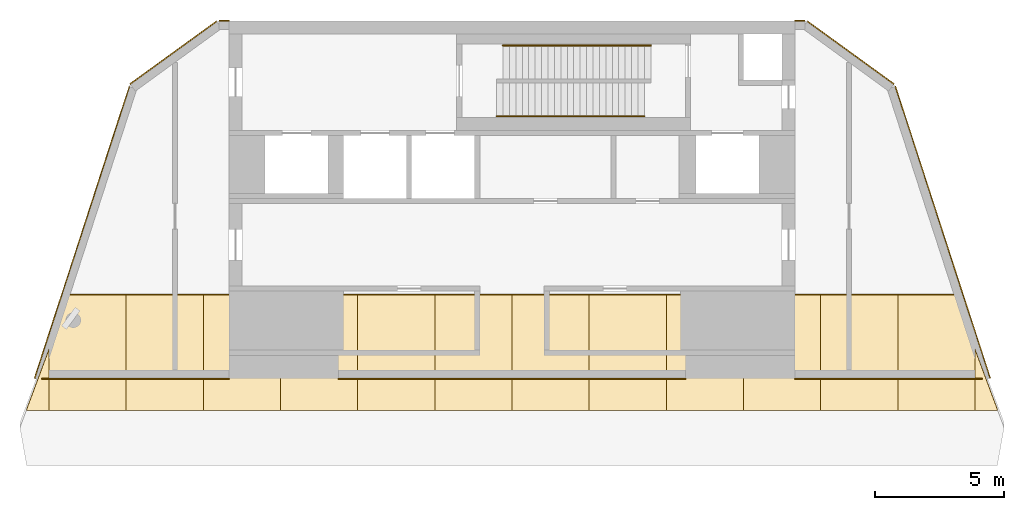
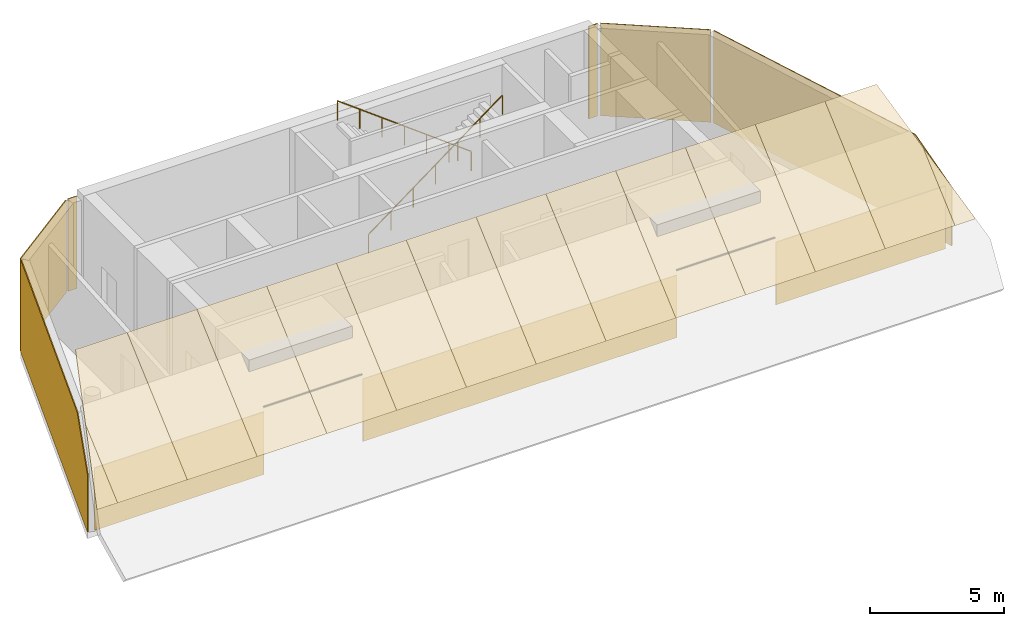
# One storey, part 3 of 3: 23 coverings, 2 railings.
"""IFC4 building model written with IfcOpenShell, lengths in metres."""

from ifc_helpers import new_model, si_unit, direction, frame, origin, origin_2d, place, context, subcontext, project, spatial, polyline, circle, outline, extrude, material, layer, layer_set, type_object, element, save


model = new_model("IFC4")

# Units and contexts
model_context = context("Model", 3, precision=1e-05, world=origin(), true_north=direction((0.0, 1.0)))
body_context = subcontext(model_context, "Body", "Model", "MODEL_VIEW")
ifc_project = project(units=[si_unit("LENGTHUNIT", "METRE"), si_unit("AREAUNIT", "SQUARE_METRE"), si_unit("VOLUMEUNIT", "CUBIC_METRE"), si_unit("PLANEANGLEUNIT", "RADIAN"), si_unit("MASSUNIT", "GRAM", prefix="KILO")], contexts=[model_context])

# Site, building, storey
site_placement = place(None, origin())
site = spatial("IfcSite", under=ifc_project, at=site_placement, CompositionType="ELEMENT")
building_placement = place(site_placement, origin())
building = spatial("IfcBuilding", under=site, at=building_placement, Name="White Candle Pilgrim Tower", CompositionType="ELEMENT")
storey_placement = place(building_placement, frame((0.0, 0.0, 346.699951171875)))
storey = spatial("IfcBuildingStorey", under=building, at=storey_placement, Name="L81", CompositionType="ELEMENT", Elevation=346.699951171875)

# Coverings
ifc_material_1 = material(Name="Zinc standing seam")
ifc_layer_1 = layer(ifc_material_1, 0.050048828125)
ifc_layer_set_1 = layer_set([ifc_layer_1], Name="Roof covering CL2 zinc standing seam 50")
covering_type_1 = type_object("IfcCoveringType", Name="Roof covering CL2 zinc standing seam 50", PredefinedType="ROOFING", material=ifc_layer_set_1)
covering_1_placement = place(storey_placement, frame((52.0, 72.852294921875, 1.8876953125), z_axis=(-0.000132173578, -0.662889988193, 0.748716799654), x_axis=(-0.999999991265, 8.7616542e-05, -9.8960579e-05)))
element("IfcCovering", 1, at=covering_1_placement, inside=storey, type_object=covering_type_1, Name="Roof covering 47", PredefinedType="ROOFING", context=body_context, shape_type="SweptSolid", body=[
    extrude(outline(polyline([(0.0, 0.0), (0.886718742254576, -1.2017279939170386e-20), (0.8684082159395308, -0.06573125336429324), (0.6826171834286233, -0.7336644731324333), (0.4968261750780134, -1.401435854523136), (0.311035142567106, -2.0693690742912763), (0.12548827483936364, -2.7371404556819794), (-1.5492099846026175e-08, -3.187849434880022), (0.0, 0.0)])), origin(), (0.0, 0.0, -1.0), 0.050048828125),
])
covering_2_placement = place(storey_placement, frame((55.0, 77.344482421875, 5.865234375), z_axis=(-6.210657e-06, -0.662916714625, 0.748693147713), x_axis=(-1e-11, -0.748693147727, -0.662916714638)))
element("IfcCovering", 2, at=covering_2_placement, inside=storey, type_object=covering_type_1, Name="Roof covering 48", PredefinedType="ROOFING", context=body_context, shape_type="SweptSolid", body=[
    extrude(outline(polyline([(0.0, 0.0), (6.0000471272122855, 0.0), (6.00004712724353, -2.999999999942142), (2.812197690210579, -2.999999999953988), (2.595135292429665, -2.9396972663743126), (1.9272020680872766, -2.7539062500381997), (1.2594306886459226, -2.5681152348373084), (0.5914974643035364, -2.3825683591261906), (2.3100788568705282e-11, -2.218017578082223), (0.0, 0.0)])), origin(), (0.0, 0.0, -1.0), 0.050048828125),
])
for number, where, z_axis, x_axis, name in (
    (3, (55.0, 72.852294921875, 1.8876953125), (0.0, -0.66291797017, 0.748692036038), (0.0, 0.748692036038, 0.66291797017), "Roof covering 49"),
    (4, (58.0, 72.852294921875, 1.8876953125), (0.0, -0.66291797017, 0.748692036038), (0.0, 0.748692036038, 0.66291797017), "Roof covering 50"),
    (5, (61.0, 72.852294921875, 1.8876953125), (0.0, -0.66291797017, 0.748692036038), (0.0, 0.748692036038, 0.66291797017), "Roof covering 51"),
    (6, (64.0, 72.852294921875, 1.8876953125), (0.0, -0.66291797017, 0.748692036038), (0.0, 0.748692036038, 0.66291797017), "Roof covering 52"),
    (7, (67.0, 72.852294921875, 1.8876953125), (0.0, -0.66291797017, 0.748692036038), (0.0, 0.748692036038, 0.66291797017), "Roof covering 53"),
    (8, (70.0, 72.852294921875, 1.8876953125), (0.0, -0.66291797017, 0.748692036038), (0.0, 0.748692036038, 0.66291797017), "Roof covering 54"),
    (9, (73.0, 72.852294921875, 1.8876953125), (0.0, -0.66291797017, 0.748692036038), (0.0, 0.748692036038, 0.66291797017), "Roof covering 55"),
    (10, (76.0, 72.852294921875, 1.8876953125), (0.0, -0.66291797017, 0.748692036038), (0.0, 0.748692036038, 0.66291797017), "Roof covering 56"),
    (11, (79.0, 72.852294921875, 1.8876953125), (0.0, -0.66291797017, 0.748692036038), (0.0, 0.748692036038, 0.66291797017), "Roof covering 57"),
    (12, (82.0, 72.852294921875, 1.8876953125), (0.0, -0.66291797017, 0.748692036038), (0.0, 0.748692036038, 0.66291797017), "Roof covering 58"),
):
    element("IfcCovering", number, at=place(storey_placement, frame(where, z_axis=z_axis, x_axis=x_axis)), inside=storey, type_object=covering_type_1, Name=name, PredefinedType="ROOFING", context=body_context, shape_type="SweptSolid", body=[
        extrude(outline(polyline([(0.0, 0.0), (6.000047127220721, 0.0), (6.000047127220721, -3.0), (0.0, -3.0), (0.0, 0.0)])), origin(), (0.0, 0.0, -1.0), 0.050048828125),
    ])
covering_3_placement = place(storey_placement, frame((88.0, 72.852294921875, 1.8876953125), z_axis=(6.210657e-06, -0.662916714625, 0.748693147713), x_axis=(-0.999999999981, -4.117148e-06, 4.649876e-06)))
element("IfcCovering", 13, at=covering_3_placement, inside=storey, type_object=covering_type_1, Name="Roof covering 59", PredefinedType="ROOFING", context=body_context, shape_type="SweptSolid", body=[
    extrude(outline(polyline([(0.0, 0.0), (2.9999999999421414, 0.0), (3.0000000000046323, -6.000047127212285), (0.7819824219224095, -6.000047127212285), (0.6174316408722816, -5.408549662933563), (0.4318847651542074, -4.7406164385931095), (0.24609374994636138, -4.072845059153691), (0.0603027336032917, -3.404911834813237), (2.1355851279614428e-11, -3.187849437032951), (0.0, 0.0)])), origin(), (0.0, 0.0, -1.0), 0.050048828125),
])
covering_4_placement = place(storey_placement, frame((88.0, 72.852294921875, 1.8876953125), z_axis=(0.000132173578, -0.662889988193, 0.748716799654), x_axis=(-4.86e-09, 0.748716806194, 0.662889993983)))
element("IfcCovering", 14, at=covering_4_placement, inside=storey, type_object=covering_type_1, Name="Roof covering 60", PredefinedType="ROOFING", context=body_context, shape_type="SweptSolid", body=[
    extrude(outline(polyline([(0.0, 0.0), (3.1878494348800226, 2.710505431213761e-20), (2.73714045507214, -0.1254882881411378), (2.0693690727797285, -0.311035152623689), (1.4014358521086934, -0.4968261818886187), (0.7336644698150956, -0.6826171869940374), (0.06573124914406044, -0.8684082162589671), (-4.309217097898702e-09, -0.886718742254576), (0.0, 0.0)])), origin(), (0.0, 0.0, -1.0), 0.050048828125),
])

# Railings
ifc_material_2 = material(Name="Stainless steel", Category="steel")
railing_type = type_object("IfcRailingType", Name="Stair handrail stainless steel", PredefinedType="HANDRAIL", material=ifc_material_2)
railing_1_placement = place(storey_placement, frame((69.39990234375, 84.300048828125, 0.1875)))
element("IfcRailing", 15, at=railing_1_placement, inside=storey, type_object=railing_type, Name="L81 ST12 stair handrail 1", PredefinedType="HANDRAIL", context=body_context, shape_type="SweptSolid", body=[
    extrude(circle(Radius=0.02392578125, at=origin_2d()), frame((0.0, 0.0, 0.8759765625), z_axis=(0.8, 0.0, 0.6), x_axis=(0.0, 1.0, 0.0)), (0.0, 0.0, 1.0), 7.1875),
    extrude(circle(Radius=0.02099609375, at=origin_2d()), origin(), (0.0, 0.0, 1.0), 0.851806640625),
    extrude(circle(Radius=0.02099609375, at=origin_2d()), frame((0.958251953125, 0.0, 0.71875)), (0.0, 0.0, 1.0), 0.851806640625),
    extrude(circle(Radius=0.02099609375, at=origin_2d()), frame((1.916748046875, 0.0, 1.4375)), (0.0, 0.0, 1.0), 0.851806640625),
    extrude(circle(Radius=0.02099609375, at=origin_2d()), frame((2.875, 0.0, 2.15625)), (0.0, 0.0, 1.0), 0.851806640625),
    extrude(circle(Radius=0.02099609375, at=origin_2d()), frame((3.833251953125, 0.0, 2.875)), (0.0, 0.0, 1.0), 0.851806640625),
    extrude(circle(Radius=0.02099609375, at=origin_2d()), frame((4.791748046875, 0.0, 3.59375)), (0.0, 0.0, 1.0), 0.851806640625),
    extrude(circle(Radius=0.02099609375, at=origin_2d()), frame((5.75, 0.0, 4.3125)), (0.0, 0.0, 1.0), 0.851806640625),
])
railing_2_placement = place(storey_placement, frame((75.39990234375, 87.050048828125, 0.1875)))
element("IfcRailing", 16, at=railing_2_placement, inside=storey, type_object=railing_type, Name="L81 ST12 stair handrail 1", PredefinedType="HANDRAIL", context=body_context, shape_type="SweptSolid", body=[
    extrude(circle(Radius=0.02392578125, at=origin_2d()), frame((0.0, 0.0, 0.8759765625), z_axis=(-0.8, 0.0, 0.6), x_axis=(0.0, -1.0, 0.0)), (0.0, 0.0, 1.0), 7.1875),
    extrude(circle(Radius=0.02099609375, at=origin_2d()), origin(), (0.0, 0.0, 1.0), 0.851806640625),
    extrude(circle(Radius=0.02099609375, at=origin_2d()), frame((-0.958251953125, 0.0, 0.71875)), (0.0, 0.0, 1.0), 0.851806640625),
    extrude(circle(Radius=0.02099609375, at=origin_2d()), frame((-1.916748046875, 0.0, 1.4375)), (0.0, 0.0, 1.0), 0.851806640625),
    extrude(circle(Radius=0.02099609375, at=origin_2d()), frame((-2.875, 0.0, 2.15625)), (0.0, 0.0, 1.0), 0.851806640625),
    extrude(circle(Radius=0.02099609375, at=origin_2d()), frame((-3.833251953125, 0.0, 2.875)), (0.0, 0.0, 1.0), 0.851806640625),
    extrude(circle(Radius=0.02099609375, at=origin_2d()), frame((-4.791748046875, 0.0, 3.59375)), (0.0, 0.0, 1.0), 0.851806640625),
    extrude(circle(Radius=0.02099609375, at=origin_2d()), frame((-5.75, 0.0, 4.3125)), (0.0, 0.0, 1.0), 0.851806640625),
])

# Coverings
ifc_layer_2 = layer(ifc_material_1, 0.0400390625)
ifc_layer_set_2 = layer_set([ifc_layer_2], Name="Zinc wall cladding CL3 40")
covering_type_2 = type_object("IfcCoveringType", Name="Zinc wall cladding CL3 40", PredefinedType="CLADDING", material=ifc_layer_set_2)
covering_5_placement = place(storey_placement, frame((88.57763671875, 74.108642578125, 2.65625), z_axis=(-0.951054644325, -0.309022755538, 8.275372e-06), x_axis=(-0.236367956951, 0.727468025327, 0.644143199183)))
element("IfcCovering", 17, at=covering_5_placement, inside=storey, type_object=covering_type_2, Name="Zinc wall cladding L81 ENE", PredefinedType="CLADDING", context=body_context, shape_type="SweptSolid", body=[
    extrude(outline(polyline([(0.0, 0.0), (2.396518622417046, 0.0), (10.117605311352957, 6.502096328436513), (7.412235327090453, 9.714659649707816), (-1.7110053728289272, 2.0317786976359797), (0.0, 0.0)])), origin(), (0.0, 0.0, -1.0), 0.0400390625),
])
covering_6_placement = place(storey_placement, frame((84.833740234375, 85.531982421875, 4.199951171875), z_axis=(-0.587807568074, -0.80900078054, 0.0), x_axis=(-0.80900078054, 0.587807568074, 0.0)))
element("IfcCovering", 18, at=covering_6_placement, inside=storey, type_object=covering_type_2, Name="Zinc wall cladding L81 NE chamfer", PredefinedType="CLADDING", context=body_context, shape_type="SweptSolid", body=[
    extrude(outline(polyline([(0.0, 0.0), (4.1467652551406395, 0.0), (4.1467652551406395, 4.199951171875), (0.0, 4.199951171875), (0.0, 0.0)])), origin(), (0.0, 0.0, -1.0), 0.0400390625),
])
for number, where, z_axis, x_axis, name in (
    (19, (81.385009765625, 88.0, 4.199951171875), (0.0, -1.0, 0.0), (-1.0, 0.0, 0.0), "Zinc wall cladding L81 N"),
    (20, (59.0, 88.0, 4.199951171875), (0.0, -1.0, 0.0), (-1.0, 0.0, 0.0), "Zinc wall cladding L81 N"),
):
    element("IfcCovering", number, at=place(storey_placement, frame(where, z_axis=z_axis, x_axis=x_axis)), inside=storey, type_object=covering_type_2, Name=name, PredefinedType="CLADDING", context=body_context, shape_type="SweptSolid", body=[
        extrude(outline(polyline([(0.0, 0.0), (0.385009765625, 0.0), (0.385009765625, 4.199951171875), (0.0, 4.199951171875), (0.0, 0.0)])), origin(), (0.0, 0.0, -1.0), 0.0400390625),
    ])
covering_7_placement = place(storey_placement, frame((58.52099609375, 87.969482421875, 4.199951171875), z_axis=(0.587807568074, -0.80900078054, 0.0), x_axis=(-0.80900078054, -0.587807568074, 0.0)))
element("IfcCovering", 21, at=covering_7_placement, inside=storey, type_object=covering_type_2, Name="Zinc wall cladding L81 NW chamfer", PredefinedType="CLADDING", context=body_context, shape_type="SweptSolid", body=[
    extrude(outline(polyline([(0.0, 0.0), (4.1467652551406395, 0.0), (4.1467652551406395, 4.199951171875), (0.0, 4.199951171875), (0.0, 0.0)])), origin(), (0.0, 0.0, -1.0), 0.0400390625),
])
covering_8_placement = place(storey_placement, frame((55.108154296875, 85.4521484375, 4.199951171875), z_axis=(-0.951055781855, 0.309019254082, 2.0170211e-05), x_axis=(-0.309019254145, -0.951055782048, 2.76e-10)))
element("IfcCovering", 22, at=covering_8_placement, inside=storey, type_object=covering_type_2, Name="Zinc wall cladding L81 WNW", PredefinedType="CLADDING", context=body_context, shape_type="SweptSolid", body=[
    extrude(outline(polyline([(0.0, 0.0), (10.094102893716595, 0.0), (11.927287226414546, -1.543701175484951), (11.92728722568053, -4.19995117494462), (-1.1605956942453894e-09, -4.199951171020651), (0.0, 0.0)])), origin(), (0.0, 0.0, -1.0), 0.0400390625),
])
covering_9_placement = place(storey_placement, frame((51.71630859375, 74.108642578125, 2.841796875), z_axis=(0.0, 1.0, 0.0), x_axis=(1.0, 0.0, 0.0)))
element("IfcCovering", 23, at=covering_9_placement, inside=storey, type_object=covering_type_2, Name="Zinc wall cladding L81 S", PredefinedType="CLADDING", context=body_context, shape_type="SweptSolid", body=[
    extrude(outline(polyline([(0.0, 0.0), (7.28369140625, 0.0), (7.28369140625, 2.841796875), (0.0, 2.841796875), (0.0, 0.0)])), origin(), (0.0, 0.0, -1.0), 0.0400390625),
])
covering_10_placement = place(storey_placement, frame((63.25, 74.108642578125, 2.841796875), z_axis=(0.0, 1.0, 0.0), x_axis=(1.0, 0.0, 0.0)))
element("IfcCovering", 24, at=covering_10_placement, inside=storey, type_object=covering_type_2, Name="Zinc wall cladding L81 S", PredefinedType="CLADDING", context=body_context, shape_type="SweptSolid", body=[
    extrude(outline(polyline([(0.0, 0.0), (13.5, 0.0), (13.5, 2.841796875), (0.0, 2.841796875), (0.0, 0.0)])), origin(), (0.0, 0.0, -1.0), 0.0400390625),
])
covering_11_placement = place(storey_placement, frame((81.0, 74.108642578125, 2.841796875), z_axis=(0.0, 1.0, 0.0), x_axis=(1.0, 0.0, 0.0)))
element("IfcCovering", 25, at=covering_11_placement, inside=storey, type_object=covering_type_2, Name="Zinc wall cladding L81 S", PredefinedType="CLADDING", context=body_context, shape_type="SweptSolid", body=[
    extrude(outline(polyline([(0.0, 0.0), (7.28369140625, 0.0), (7.28369140625, 2.841796875), (0.0, 2.841796875), (0.0, 0.0)])), origin(), (0.0, 0.0, -1.0), 0.0400390625),
])

save(model, "model.ifc")
